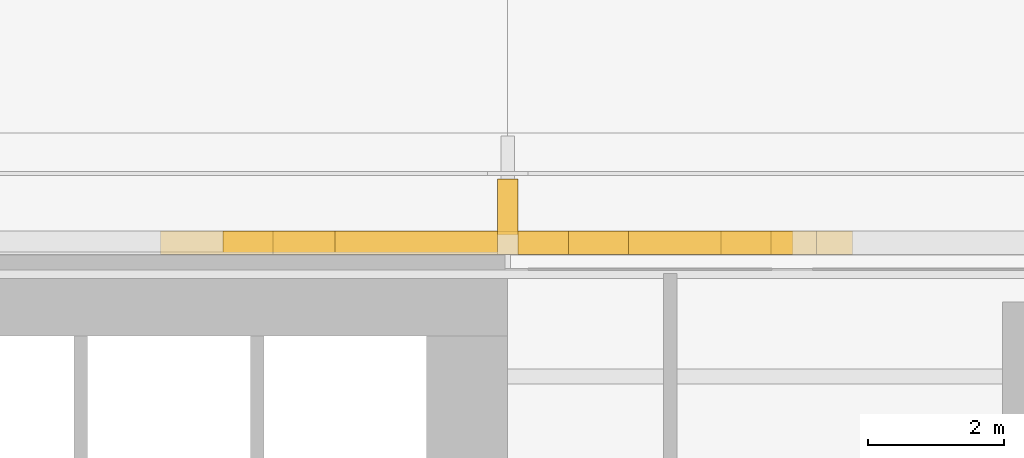
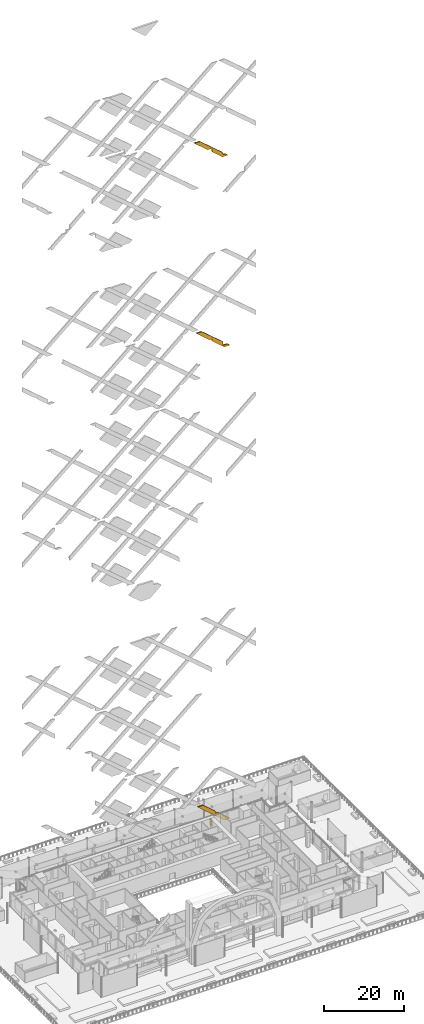
# One storey, part 55 of 60: 4 coverings.
"""IFC4 building model written with IfcOpenShell, lengths in metres."""

from ifc_helpers import new_model, si_unit, direction, frame, origin, origin_2d, place, context, subcontext, project, spatial, polyline, rectangle, outline, extrude, material, layer, layer_set, type_object, element, save


model = new_model("IFC4")

# Units and contexts
model_context = context("Model", 3, precision=1e-05, world=origin(), true_north=direction((0.0, 1.0)))
body_context = subcontext(model_context, "Body", "Model", "MODEL_VIEW")
ifc_project = project(units=[si_unit("LENGTHUNIT", "METRE"), si_unit("AREAUNIT", "SQUARE_METRE"), si_unit("VOLUMEUNIT", "CUBIC_METRE"), si_unit("PLANEANGLEUNIT", "RADIAN"), si_unit("MASSUNIT", "GRAM", prefix="KILO")], contexts=[model_context])

# Site, building, storey
site_placement = place(None, origin())
site = spatial("IfcSite", under=ifc_project, at=site_placement, CompositionType="ELEMENT")
building_placement = place(site_placement, origin())
building = spatial("IfcBuilding", under=site, at=building_placement, Name="Saffron Gate Tower", CompositionType="ELEMENT")
storey_placement = place(building_placement, frame((0.0, 0.0, 19.199951171875)))
storey = spatial("IfcBuildingStorey", under=building, at=storey_placement, Name="L03", CompositionType="ELEMENT", Elevation=19.199951171875)

# Coverings
ifc_material_1 = material(Name="Timber, thermally modified ash", Category="wood")
ifc_layer_1 = layer(ifc_material_1, 0.300048828125)
ifc_layer_set_1 = layer_set([ifc_layer_1], Name="LD3 ledge riser fin")
covering_type_1 = type_object("IfcCoveringType", Name="LD3 ledge riser fin", PredefinedType="CLADDING", material=ifc_layer_set_1)
covering_1_placement = place(storey_placement, frame((108.60009765625, 76.159912109375, 0.679931640625), z_axis=(0.0, 0.0, 1.0), x_axis=(-1.0, 0.0, 0.0)))
element("IfcCovering", 1, at=covering_1_placement, inside=storey, type_object=covering_type_1, Name="LEDGE riser fin", PredefinedType="CLADDING", context=body_context, shape_type="SweptSolid", body=[
    extrude(rectangle(XDim=0.300048828125, YDim=1.1201171875, at=origin_2d()), origin(), (0.0, 0.0, 1.0), 1.93115234375),
])
ifc_material_2 = material(Name="Ceramic-printed bronze insulated panel")
ifc_layer_2 = layer(ifc_material_2, 0.35009765625)
ifc_layer_set_2 = layer_set([ifc_layer_2], Name="LZ1 lozenge lattice bar 1600")
covering_type_2 = type_object("IfcCoveringType", Name="LZ1 lozenge lattice bar 1600", PredefinedType="CLADDING", material=ifc_layer_set_2)
covering_2_placement = place(storey_placement, frame((113.159912109375, 75.949951171875, 203.52001953125), z_axis=(0.0, 1.0, 0.0), x_axis=(-1.0, 0.0, 0.0)))
element("IfcCovering", 2, at=covering_2_placement, inside=storey, type_object=covering_type_2, Name="CLADDING lozenge lattice bar", PredefinedType="CLADDING", context=body_context, shape_type="SweptSolid", body=[
    extrude(outline(polyline([(0.0, 0.0), (1.409912109375, 0.0), (1.409912109375, -0.162841796875), (4.559814453125, 2.537109375), (4.559814453125, 3.60009765625), (5.7998046875, 3.60009765625), (9.68408203125, 6.92919921875), (8.0283203125, 6.881591796875), (1.409912109375, 1.20849609375), (1.409912109375, 0.580078125), (0.676513671875, 0.580078125), (0.0, 0.0)])), origin(), (0.0, 0.0, -1.0), 0.35009765625),
])
covering_3_placement = place(storey_placement, frame((113.68505859375, 75.949951171875, 145.469970703125), z_axis=(0.0, 1.0, 0.0), x_axis=(-1.0, 0.0, 0.0)))
element("IfcCovering", 3, at=covering_3_placement, inside=storey, type_object=covering_type_2, Name="CLADDING lozenge lattice bar", PredefinedType="CLADDING", context=body_context, shape_type="SweptSolid", body=[
    extrude(outline(polyline([(0.0, 0.0), (1.60009765625, 0.0), (5.0849609375, 2.9873046875), (5.0849609375, 3.60009765625), (5.800048828125, 3.60009765625), (9.665771484375, 6.91357421875), (8.01025390625, 6.865966796875), (5.0849609375, 4.358642578125), (5.0849609375, 4.18017578125), (4.876708984375, 4.18017578125), (1.93505859375, 1.65869140625), (1.93505859375, 0.580078125), (0.6767578125, 0.580078125), (0.0, 0.0)])), origin(), (0.0, 0.0, -1.0), 0.35009765625),
])
covering_4_placement = place(storey_placement, frame((113.849853515625, 75.949951171875, 1.32861328125), z_axis=(0.0, 1.0, 0.0), x_axis=(-0.999582532533, 0.0, 0.028892224801)))
element("IfcCovering", 4, at=covering_4_placement, inside=storey, type_object=covering_type_2, Name="CLADDING lozenge lattice bar", PredefinedType="CLADDING", context=body_context, shape_type="SweptSolid", body=[
    extrude(outline(polyline([(0.0, 0.0), (1.6562089914967124, 0.0), (9.645164560115383, 6.45669121143227), (7.988711529914438, 6.45669826519809), (4.455762704910167, 3.6012821454026542), (4.433888977100511, 2.844518123579824), (3.5509569451898373, 2.870038648318726), (0.0, 0.0)])), origin(), (0.0, 0.0, -1.0), 0.35009765625),
])

save(model, "model.ifc")
